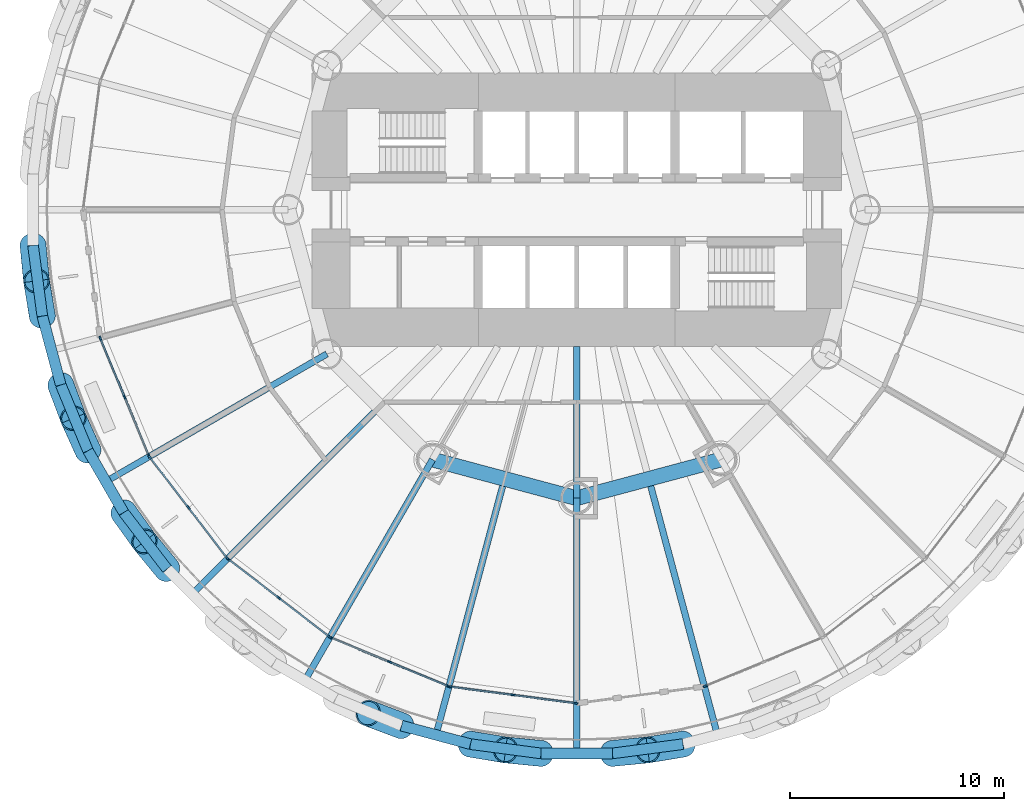
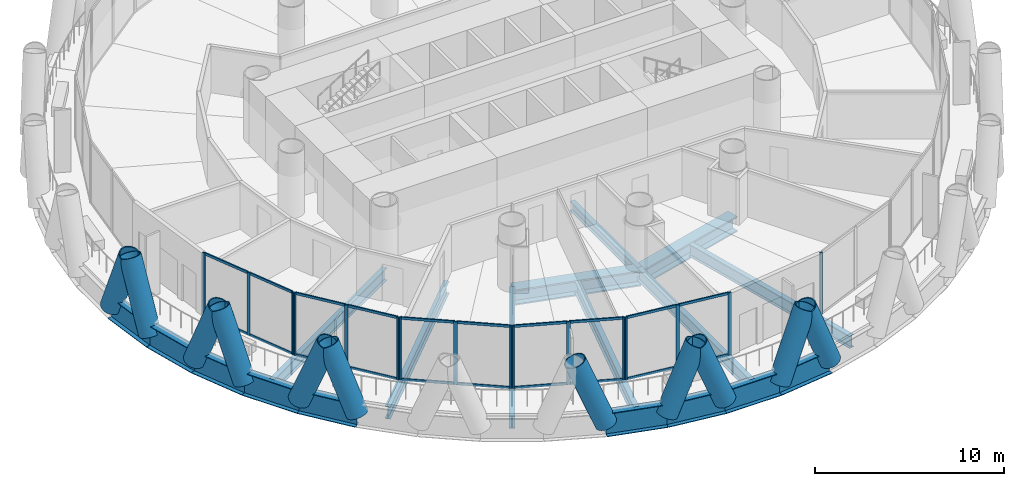
# One storey, part 2 of 16: 47 members, 18 beams, 6 elements without a shape of their own.
"""IFC4 building model written with IfcOpenShell, lengths in metres."""

import ifcopenshell
import ifcopenshell.guid

model = None  # the IFC model being written
_history = None  # IfcOwnerHistory: only IFC2X3 demands one
_inside = {}  # id of a spatial element -> (the spatial element, [elements in it])
_under = {}  # id of a project, library or spatial element -> (it, [spatial elements below it])
_declared = {}  # id of a project -> (the project, [libraries it declares])
_typed = {}  # id of a type object -> (the type object, [elements of that type])
_made_of = {}  # id of a material, layer set ... -> (it, [elements and type objects made of it])


def new_model(schema):
    """Start an empty IFC model of exactly this schema.

    Asked for "IFC4X3", IfcOpenShell would pick the latest addendum, in which some entities
    have other attributes; the version numbers below select the first issue.
    IFC2X3 requires an IfcOwnerHistory on every rooted entity: one is made here for all.
    """
    global model, _history
    if schema == "IFC4X3":
        model = ifcopenshell.file(schema_version=(4, 3, 0, 0))
    else:
        model = ifcopenshell.file(schema=schema)
    _inside.clear()
    _under.clear()
    _declared.clear()
    _typed.clear()
    _made_of.clear()
    _history = None
    if model.schema == "IFC2X3":
        org = make("IfcOrganization", Name="unknown")
        user = make(
            "IfcPersonAndOrganization",
            ThePerson=make("IfcPerson", FamilyName="unknown"),
            TheOrganization=org,
        )
        app = make(
            "IfcApplication",
            ApplicationDeveloper=org,
            Version="unknown",
            ApplicationFullName="unknown",
            ApplicationIdentifier="unknown",
        )
        _history = make(
            "IfcOwnerHistory",
            OwningUser=user,
            OwningApplication=app,
            ChangeAction="ADDED",
            CreationDate=0,
        )
    return model


def make(cls, **values):
    """One entity of the class cls with the attributes given. An attribute that is None is left unset."""
    return model.create_entity(
        cls, **{name: value for name, value in values.items() if value is not None}
    )


def rooted(cls, **values):
    """An entity with a GlobalId (a new one), such as an element, a storey or a relation."""
    return make(cls, GlobalId=ifcopenshell.guid.new(), OwnerHistory=_history, **values)


def si_unit(unit_type, name, prefix=None):
    """IfcSIUnit, for example si_unit("LENGTHUNIT", "METRE", prefix="MILLI")."""
    return make("IfcSIUnit", UnitType=unit_type, Prefix=prefix, Name=name)


def assignment(units):
    """IfcUnitAssignment: the units of a project."""
    return None if units is None else make("IfcUnitAssignment", Units=units)


def point(xyz):
    """IfcCartesianPoint."""
    return None if xyz is None else make("IfcCartesianPoint", Coordinates=xyz)


def direction(xyz):
    """IfcDirection."""
    return None if xyz is None else make("IfcDirection", DirectionRatios=xyz)


def frame(location, z_axis=None, x_axis=None):
    """IfcAxis2Placement3D, a coordinate frame: its origin and axes. An axis left out is left unset."""
    return make(
        "IfcAxis2Placement3D",
        Location=point(location),
        Axis=direction(z_axis),
        RefDirection=direction(x_axis),
    )


def frame_2d(location, x_axis=None):
    """IfcAxis2Placement2D, a coordinate frame in the plane: its origin and x axis."""
    return make(
        "IfcAxis2Placement2D", Location=point(location), RefDirection=direction(x_axis)
    )


def origin():
    """The frame at (0, 0, 0) with its axes left unset."""
    return frame((0.0, 0.0, 0.0))


def origin_2d():
    """The frame at (0, 0) in the plane with its x axis left unset."""
    return frame_2d((0.0, 0.0))


def place(relative_to, where):
    """IfcLocalPlacement: puts the frame where relative to a parent placement (None: the world)."""
    return make(
        "IfcLocalPlacement", PlacementRelTo=relative_to, RelativePlacement=where
    )


def context(
    kind, dimensions, precision=None, world=None, true_north=None, identifier=None
):
    """IfcGeometricRepresentationContext, for example the 3D "Model" context."""
    return make(
        "IfcGeometricRepresentationContext",
        ContextIdentifier=identifier,
        ContextType=kind,
        CoordinateSpaceDimension=dimensions,
        Precision=precision,
        WorldCoordinateSystem=world,
        TrueNorth=true_north,
    )


def subcontext(parent, identifier, kind, view, scale=None):
    """IfcGeometricRepresentationSubContext, for example "Body" below "Model"."""
    return make(
        "IfcGeometricRepresentationSubContext",
        ContextIdentifier=identifier,
        ContextType=kind,
        ParentContext=parent,
        TargetScale=scale,
        TargetView=view,
    )


def project(units=None, contexts=None):
    """IfcProject with its units and contexts."""
    return rooted(
        "IfcProject",
        Name="project",
        RepresentationContexts=contexts,
        UnitsInContext=assignment(units),
    )


def spatial(cls, under=None, at=None, **own):
    """A site, building, storey or space (cls), placed at a placement, below another one or the project."""
    s = rooted(cls, ObjectPlacement=at, **own)
    if under is not None:
        _under.setdefault(under.id(), (under, []))[1].append(s)
    return s


def profile(cls, at=None, kind="AREA", **sizes):
    """A parametric profile (cls). Its sizes go by their IFC names, for example OverallWidth=200.0."""
    return make(cls, ProfileType=kind, Position=at, **sizes)


def rectangle(**sizes):
    """IfcRectangleProfileDef."""
    return profile("IfcRectangleProfileDef", **sizes)


def hollow_circle(**sizes):
    """IfcCircleHollowProfileDef."""
    return profile("IfcCircleHollowProfileDef", **sizes)


def i_section(**sizes):
    """IfcIShapeProfileDef."""
    return profile("IfcIShapeProfileDef", **sizes)


def extrude(swept, where, along, depth):
    """IfcExtrudedAreaSolid: the profile swept, set in the frame where, extruded along a direction by depth."""
    return make(
        "IfcExtrudedAreaSolid",
        SweptArea=swept,
        Position=where,
        ExtrudedDirection=direction(along),
        Depth=depth,
    )


def shape(context_of_items, identifier, shape_type, items):
    """IfcShapeRepresentation: the items that make up one representation, for example the "Body"."""
    return make(
        "IfcShapeRepresentation",
        ContextOfItems=context_of_items,
        RepresentationIdentifier=identifier,
        RepresentationType=shape_type,
        Items=items,
    )


def material(Name=None, Category=None):
    """IfcMaterial."""
    return make("IfcMaterial", Name=Name, Category=Category)


def material_profile(
    of_material, cross_section, Name=None, Category=None, Priority=None
):
    """IfcMaterialProfile: a cross section and its material."""
    return make(
        "IfcMaterialProfile",
        Name=Name,
        Material=of_material,
        Profile=cross_section,
        Priority=Priority,
        Category=Category,
    )


def profile_set(profiles, Name=None, composite=None):
    """IfcMaterialProfileSet."""
    return make(
        "IfcMaterialProfileSet",
        Name=Name,
        MaterialProfiles=profiles,
        CompositeProfile=composite,
    )


def made_of(thing, what):
    """Note that an element or type object is made of a material, layer set ...; save() writes the relation."""
    if what is not None:
        _made_of.setdefault(what.id(), (what, []))[1].append(thing)
    return thing


def type_object(cls, material=None, **own):
    """A type object (cls), such as IfcWallType, which elements share."""
    return made_of(rooted(cls, **own), material)


def element(
    cls,
    number,
    at=None,
    inside=None,
    cuts=None,
    type_object=None,
    material=None,
    context=None,
    identifier="Body",
    shape_type=None,
    held_by="IfcProductDefinitionShape",
    body=None,
    shapes=None,
    **own,
):
    """One element of the class cls, such as IfcWall. Its Tag is "e" and its number.

    at: its placement. inside: the storey or other place that contains it. cuts: it is an
    opening in that element (IfcRelVoidsElement). A single representation is given by context,
    identifier, shape_type and body (its items); several are given by shapes. held_by: the class
    of the entity that holds the representations. save() writes the other relations.
    """
    e = rooted(cls, Tag="e%d" % number, ObjectPlacement=at, **own)
    if body is not None:
        shapes = [shape(context, identifier, shape_type, body)]
    if shapes is not None:
        e.Representation = make(held_by, Representations=shapes)
    if inside is not None:
        _inside.setdefault(inside.id(), (inside, []))[1].append(e)
    if cuts is not None:
        rooted(
            "IfcRelVoidsElement", RelatingBuildingElement=cuts, RelatedOpeningElement=e
        )
    if type_object is not None:
        _typed.setdefault(type_object.id(), (type_object, []))[1].append(e)
    return made_of(e, material)


def aggregate(whole, parts):
    """IfcRelAggregates: a whole, such as a stair, and the parts it consists of."""
    return rooted("IfcRelAggregates", RelatingObject=whole, RelatedObjects=parts)


def save(model, path):
    """Write the relations noted so far, then the file.

    IfcRelAggregates (storeys below a building ...), IfcRelContainedInSpatialStructure (elements
    in a storey), IfcRelDefinesByType, IfcRelAssociatesMaterial and IfcRelDeclares: one each for
    every whole, place, type object, material and project.
    """
    for whole, parts in _under.values():
        aggregate(whole, parts)
    for where, things in _inside.values():
        rooted(
            "IfcRelContainedInSpatialStructure",
            RelatedElements=things,
            RelatingStructure=where,
        )
    for kind, things in _typed.values():
        rooted("IfcRelDefinesByType", RelatedObjects=things, RelatingType=kind)
    for what, things in _made_of.values():
        rooted("IfcRelAssociatesMaterial", RelatedObjects=things, RelatingMaterial=what)
    for by, libraries in _declared.values():
        rooted("IfcRelDeclares", RelatingContext=by, RelatedDefinitions=libraries)
    model.write(path)


model = new_model("IFC4")

# Units and contexts
model_context = context("Model", 3, precision=1e-05, world=origin(), true_north=direction((0.0, 1.0)))
body_context = subcontext(model_context, "Body", "Model", "MODEL_VIEW")
ifc_project = project(units=[si_unit("LENGTHUNIT", "METRE"), si_unit("AREAUNIT", "SQUARE_METRE"), si_unit("VOLUMEUNIT", "CUBIC_METRE"), si_unit("PLANEANGLEUNIT", "RADIAN"), si_unit("MASSUNIT", "GRAM", prefix="KILO")], contexts=[model_context])

# Site, building, storey
site_placement = place(None, origin())
site = spatial("IfcSite", under=ifc_project, at=site_placement, CompositionType="ELEMENT")
building_placement = place(site_placement, origin())
building = spatial("IfcBuilding", under=site, at=building_placement, Name="Qaws Media Tower", CompositionType="ELEMENT")
storey_placement = place(building_placement, frame((0.0, 0.0, 80.60009765625)))
storey = spatial("IfcBuildingStorey", under=building, at=storey_placement, Name="L17", CompositionType="ELEMENT", Elevation=80.60009765625)

# Curtain wall, members
ifc_material_1 = material(Name="Aluminium and clear glass", Category="aluminium")
curtain_wall_type = type_object("IfcCurtainWallType", Name="Unitised curtain wall CW-A", PredefinedType="NOTDEFINED", material=ifc_material_1)
curtain_wall_1_placement = place(storey_placement, origin())
curtain_wall_1 = element("IfcCurtainWall", 1, at=curtain_wall_1_placement, inside=storey, type_object=curtain_wall_type, Name="CWA curtain wall L17-14", PredefinedType="NOTDEFINED")
ifc_material_2 = material(Name="Aluminium mullion", Category="aluminium")
ifc_material_profile_1 = material_profile(ifc_material_2, rectangle(XDim=0.080078125, YDim=0.199951171875, at=origin_2d()), Name="80x200")
ifc_profile_set_1 = profile_set([ifc_material_profile_1], Name="Aluminium mullion")
member_type_1 = type_object("IfcMemberType", Name="Curtain wall mullion 80x200", PredefinedType="MULLION", material=ifc_profile_set_1)
member_1_placement = place(storey_placement, frame((37.702392578125, 43.984375, 0.0), z_axis=(0.0, 0.0, 1.0), x_axis=(0.923879517022, 0.382683469758, 0.0)))
member_1 = element("IfcMember", 2, at=member_1_placement, type_object=member_type_1, Name="CWA mullion 1", PredefinedType="MULLION", context=body_context, shape_type="SweptSolid", body=[
    extrude(rectangle(XDim=0.080078125, YDim=0.199951171875, at=origin_2d()), origin(), (0.0, 0.0, 1.0), 4.039794921875),
])
member_2_placement = place(storey_placement, frame((38.841064453125, 41.235595703125, 0.0), z_axis=(0.0, 0.0, 1.0), x_axis=(0.923879517022, 0.382683469758, 0.0)))
member_2 = element("IfcMember", 3, at=member_2_placement, type_object=member_type_1, Name="CWA mullion 2", PredefinedType="MULLION", context=body_context, shape_type="SweptSolid", body=[
    extrude(rectangle(XDim=0.080078125, YDim=0.199951171875, at=origin_2d()), origin(), (0.0, 0.0, 1.0), 4.039794921875),
])
member_3_placement = place(storey_placement, frame((39.9794921875, 38.487060546875, 0.0), z_axis=(0.0, 0.0, 1.0), x_axis=(0.923879517022, 0.382683469758, 0.0)))
member_3 = element("IfcMember", 4, at=member_3_placement, type_object=member_type_1, Name="CWA mullion 3", PredefinedType="MULLION", context=body_context, shape_type="SweptSolid", body=[
    extrude(rectangle(XDim=0.080078125, YDim=0.199951171875, at=origin_2d()), origin(), (0.0, 0.0, 1.0), 4.039794921875),
])

curtain_wall_2_placement = place(storey_placement, origin())
curtain_wall_2 = element("IfcCurtainWall", 5, at=curtain_wall_2_placement, inside=storey, type_object=curtain_wall_type, Name="CWA curtain wall L17-15", PredefinedType="NOTDEFINED")
member_4_placement = place(storey_placement, frame((40.01904296875, 38.418212890625, 0.0), z_axis=(0.0, 0.0, 1.0), x_axis=(0.79335337666, 0.608761381612, 0.0)))
member_4 = element("IfcMember", 6, at=member_4_placement, type_object=member_type_1, Name="CWA mullion 1", PredefinedType="MULLION", context=body_context, shape_type="SweptSolid", body=[
    extrude(rectangle(XDim=0.080078125, YDim=0.199951171875, at=origin_2d()), origin(), (0.0, 0.0, 1.0), 4.039794921875),
])
member_5_placement = place(storey_placement, frame((41.830322265625, 36.057861328125, 0.0), z_axis=(0.0, 0.0, 1.0), x_axis=(0.79335337666, 0.608761381612, 0.0)))
member_5 = element("IfcMember", 7, at=member_5_placement, type_object=member_type_1, Name="CWA mullion 2", PredefinedType="MULLION", context=body_context, shape_type="SweptSolid", body=[
    extrude(rectangle(XDim=0.080078125, YDim=0.199951171875, at=origin_2d()), origin(), (0.0, 0.0, 1.0), 4.039794921875),
])
member_6_placement = place(storey_placement, frame((43.6416015625, 33.697509765625, 0.0), z_axis=(0.0, 0.0, 1.0), x_axis=(0.79335337666, 0.608761381612, 0.0)))
member_6 = element("IfcMember", 8, at=member_6_placement, type_object=member_type_1, Name="CWA mullion 3", PredefinedType="MULLION", context=body_context, shape_type="SweptSolid", body=[
    extrude(rectangle(XDim=0.080078125, YDim=0.199951171875, at=origin_2d()), origin(), (0.0, 0.0, 1.0), 4.039794921875),
])

curtain_wall_3_placement = place(storey_placement, origin())
curtain_wall_3 = element("IfcCurtainWall", 9, at=curtain_wall_3_placement, inside=storey, type_object=curtain_wall_type, Name="CWA curtain wall L17-16", PredefinedType="NOTDEFINED")
member_7_placement = place(storey_placement, frame((43.697509765625, 33.6416015625, 0.0), z_axis=(0.0, 0.0, 1.0), x_axis=(0.608761381612, 0.79335337666, 0.0)))
member_7 = element("IfcMember", 10, at=member_7_placement, type_object=member_type_1, Name="CWA mullion 1", PredefinedType="MULLION", context=body_context, shape_type="SweptSolid", body=[
    extrude(rectangle(XDim=0.080078125, YDim=0.199951171875, at=origin_2d()), origin(), (0.0, 0.0, 1.0), 4.039794921875),
])
member_8_placement = place(storey_placement, frame((46.057861328125, 31.830322265625, 0.0), z_axis=(0.0, 0.0, 1.0), x_axis=(0.608761381612, 0.79335337666, 0.0)))
member_8 = element("IfcMember", 11, at=member_8_placement, type_object=member_type_1, Name="CWA mullion 2", PredefinedType="MULLION", context=body_context, shape_type="SweptSolid", body=[
    extrude(rectangle(XDim=0.080078125, YDim=0.199951171875, at=origin_2d()), origin(), (0.0, 0.0, 1.0), 4.039794921875),
])
member_9_placement = place(storey_placement, frame((48.418212890625, 30.01904296875, 0.0), z_axis=(0.0, 0.0, 1.0), x_axis=(0.608761381612, 0.79335337666, 0.0)))
member_9 = element("IfcMember", 12, at=member_9_placement, type_object=member_type_1, Name="CWA mullion 3", PredefinedType="MULLION", context=body_context, shape_type="SweptSolid", body=[
    extrude(rectangle(XDim=0.080078125, YDim=0.199951171875, at=origin_2d()), origin(), (0.0, 0.0, 1.0), 4.039794921875),
])

curtain_wall_4_placement = place(storey_placement, origin())
curtain_wall_4 = element("IfcCurtainWall", 13, at=curtain_wall_4_placement, inside=storey, type_object=curtain_wall_type, Name="CWA curtain wall L17-17", PredefinedType="NOTDEFINED")
member_10_placement = place(storey_placement, frame((48.487060546875, 29.9794921875, 0.0), z_axis=(0.0, 0.0, 1.0), x_axis=(0.382683469758, 0.923879517022, 0.0)))
member_10 = element("IfcMember", 14, at=member_10_placement, type_object=member_type_1, Name="CWA mullion 1", PredefinedType="MULLION", context=body_context, shape_type="SweptSolid", body=[
    extrude(rectangle(XDim=0.080078125, YDim=0.199951171875, at=origin_2d()), origin(), (0.0, 0.0, 1.0), 4.039794921875),
])
member_11_placement = place(storey_placement, frame((51.235595703125, 28.841064453125, 0.0), z_axis=(0.0, 0.0, 1.0), x_axis=(0.382683469758, 0.923879517022, 0.0)))
member_11 = element("IfcMember", 15, at=member_11_placement, type_object=member_type_1, Name="CWA mullion 2", PredefinedType="MULLION", context=body_context, shape_type="SweptSolid", body=[
    extrude(rectangle(XDim=0.080078125, YDim=0.199951171875, at=origin_2d()), origin(), (0.0, 0.0, 1.0), 4.039794921875),
])
member_12_placement = place(storey_placement, frame((53.984375, 27.702392578125, 0.0), z_axis=(0.0, 0.0, 1.0), x_axis=(0.382683469758, 0.923879517022, 0.0)))
member_12 = element("IfcMember", 16, at=member_12_placement, type_object=member_type_1, Name="CWA mullion 3", PredefinedType="MULLION", context=body_context, shape_type="SweptSolid", body=[
    extrude(rectangle(XDim=0.080078125, YDim=0.199951171875, at=origin_2d()), origin(), (0.0, 0.0, 1.0), 4.039794921875),
])

curtain_wall_5_placement = place(storey_placement, origin())
curtain_wall_5 = element("IfcCurtainWall", 17, at=curtain_wall_5_placement, inside=storey, type_object=curtain_wall_type, Name="CWA curtain wall L17-18", PredefinedType="NOTDEFINED")
member_13_placement = place(storey_placement, frame((54.06103515625, 27.681884765625, 0.0), z_axis=(0.0, 0.0, 1.0), x_axis=(0.130526123696, 0.991444870395, 0.0)))
member_13 = element("IfcMember", 18, at=member_13_placement, type_object=member_type_1, Name="CWA mullion 1", PredefinedType="MULLION", context=body_context, shape_type="SweptSolid", body=[
    extrude(rectangle(XDim=0.080078125, YDim=0.199951171875, at=origin_2d()), origin(), (0.0, 0.0, 1.0), 4.039794921875),
])
member_14_placement = place(storey_placement, frame((57.0107421875, 27.29345703125, 0.0), z_axis=(0.0, 0.0, 1.0), x_axis=(0.130526123696, 0.991444870395, 0.0)))
member_14 = element("IfcMember", 19, at=member_14_placement, type_object=member_type_1, Name="CWA mullion 2", PredefinedType="MULLION", context=body_context, shape_type="SweptSolid", body=[
    extrude(rectangle(XDim=0.080078125, YDim=0.199951171875, at=origin_2d()), origin(), (0.0, 0.0, 1.0), 4.039794921875),
])
member_15_placement = place(storey_placement, frame((59.96044921875, 26.9052734375, 0.0), z_axis=(0.0, 0.0, 1.0), x_axis=(0.130526123696, 0.991444870395, 0.0)))
member_15 = element("IfcMember", 20, at=member_15_placement, type_object=member_type_1, Name="CWA mullion 3", PredefinedType="MULLION", context=body_context, shape_type="SweptSolid", body=[
    extrude(rectangle(XDim=0.080078125, YDim=0.199951171875, at=origin_2d()), origin(), (0.0, 0.0, 1.0), 4.039794921875),
])

# Curtain wall, member
curtain_wall_6_placement = place(storey_placement, origin())
curtain_wall_6 = element("IfcCurtainWall", 21, at=curtain_wall_6_placement, inside=storey, type_object=curtain_wall_type, Name="CWA curtain wall L17-20", PredefinedType="NOTDEFINED")
member_16_placement = place(storey_placement, frame((66.015625, 27.702392578125, 0.0), z_axis=(0.0, 0.0, 1.0), x_axis=(-0.382683469758, 0.923879517022, 0.0)))
member_16 = element("IfcMember", 22, at=member_16_placement, type_object=member_type_1, Name="CWA mullion 1", PredefinedType="MULLION", context=body_context, shape_type="SweptSolid", body=[
    extrude(rectangle(XDim=0.080078125, YDim=0.199951171875, at=origin_2d()), origin(), (0.0, 0.0, 1.0), 4.039794921875),
])
aggregate(curtain_wall_6, [member_16])

# Member
ifc_material_3 = material(Name="Aluminium transom", Category="aluminium")
ifc_material_profile_2 = material_profile(ifc_material_3, rectangle(XDim=0.080078125, YDim=0.159912109375, at=origin_2d()), Name="80x160")
ifc_profile_set_2 = profile_set([ifc_material_profile_2], Name="Aluminium transom")
member_type_2 = type_object("IfcMemberType", Name="Curtain wall transom 80x160", PredefinedType="USERDEFINED", material=ifc_profile_set_2)
member_17_placement = place(storey_placement, frame((37.7177734375, 43.947265625, 0.039794921875), z_axis=(0.382704337855, -0.923870872897, 0.0), x_axis=(0.923870872897, 0.382704337855, 0.0)))
member_17 = element("IfcMember", 23, at=member_17_placement, type_object=member_type_2, Name="CWA transom 1.1", ObjectType="TRANSOM", PredefinedType="USERDEFINED", context=body_context, shape_type="SweptSolid", body=[
    extrude(rectangle(XDim=0.080078125, YDim=0.159912109375, at=origin_2d()), origin(), (0.0, 0.0, 1.0), 2.89501953125),
])

member_18_placement = place(storey_placement, frame((37.7177734375, 43.947265625, 4.0), z_axis=(0.382704337855, -0.923870872897, 0.0), x_axis=(0.923870872897, 0.382704337855, 0.0)))
member_18 = element("IfcMember", 24, at=member_18_placement, type_object=member_type_2, Name="CWA transom 1.2", ObjectType="TRANSOM", PredefinedType="USERDEFINED", context=body_context, shape_type="SweptSolid", body=[
    extrude(rectangle(XDim=0.080078125, YDim=0.159912109375, at=origin_2d()), origin(), (0.0, 0.0, 1.0), 2.89501953125),
])

member_19_placement = place(storey_placement, frame((38.856201171875, 41.19873046875, 0.039794921875), z_axis=(0.382674522319, -0.923883223123, 0.0), x_axis=(0.923883223123, 0.382674522319, 0.0)))
member_19 = element("IfcMember", 25, at=member_19_placement, type_object=member_type_2, Name="CWA transom 2.1", ObjectType="TRANSOM", PredefinedType="USERDEFINED", context=body_context, shape_type="SweptSolid", body=[
    extrude(rectangle(XDim=0.080078125, YDim=0.159912109375, at=origin_2d()), origin(), (0.0, 0.0, 1.0), 2.895263671875),
])

member_20_placement = place(storey_placement, frame((38.856201171875, 41.19873046875, 4.0), z_axis=(0.382674522319, -0.923883223123, 0.0), x_axis=(0.923883223123, 0.382674522319, 0.0)))
member_20 = element("IfcMember", 26, at=member_20_placement, type_object=member_type_2, Name="CWA transom 2.2", ObjectType="TRANSOM", PredefinedType="USERDEFINED", context=body_context, shape_type="SweptSolid", body=[
    extrude(rectangle(XDim=0.080078125, YDim=0.159912109375, at=origin_2d()), origin(), (0.0, 0.0, 1.0), 2.895263671875),
])

aggregate(curtain_wall_1, [member_1, member_2, member_3, member_17, member_18, member_19, member_20])

member_21_placement = place(storey_placement, frame((40.04345703125, 38.386474609375, 0.039794921875), z_axis=(0.608760776012, -0.793353841353, 0.0), x_axis=(0.793353841353, 0.608760776012, 0.0)))
member_21 = element("IfcMember", 27, at=member_21_placement, type_object=member_type_2, Name="CWA transom 1.1", ObjectType="TRANSOM", PredefinedType="USERDEFINED", context=body_context, shape_type="SweptSolid", body=[
    extrude(rectangle(XDim=0.080078125, YDim=0.159912109375, at=origin_2d()), origin(), (0.0, 0.0, 1.0), 2.895263671875),
])

member_22_placement = place(storey_placement, frame((40.04345703125, 38.386474609375, 4.0), z_axis=(0.608760776012, -0.793353841353, 0.0), x_axis=(0.793353841353, 0.608760776012, 0.0)))
member_22 = element("IfcMember", 28, at=member_22_placement, type_object=member_type_2, Name="CWA transom 1.2", ObjectType="TRANSOM", PredefinedType="USERDEFINED", context=body_context, shape_type="SweptSolid", body=[
    extrude(rectangle(XDim=0.080078125, YDim=0.159912109375, at=origin_2d()), origin(), (0.0, 0.0, 1.0), 2.895263671875),
])

member_23_placement = place(storey_placement, frame((41.854736328125, 36.026123046875, 0.039794921875), z_axis=(0.608760776012, -0.793353841353, 0.0), x_axis=(0.793353841353, 0.608760776012, 0.0)))
member_23 = element("IfcMember", 29, at=member_23_placement, type_object=member_type_2, Name="CWA transom 2.1", ObjectType="TRANSOM", PredefinedType="USERDEFINED", context=body_context, shape_type="SweptSolid", body=[
    extrude(rectangle(XDim=0.080078125, YDim=0.159912109375, at=origin_2d()), origin(), (0.0, 0.0, 1.0), 2.895263671875),
])

member_24_placement = place(storey_placement, frame((41.854736328125, 36.026123046875, 4.0), z_axis=(0.608760776012, -0.793353841353, 0.0), x_axis=(0.793353841353, 0.608760776012, 0.0)))
member_24 = element("IfcMember", 30, at=member_24_placement, type_object=member_type_2, Name="CWA transom 2.2", ObjectType="TRANSOM", PredefinedType="USERDEFINED", context=body_context, shape_type="SweptSolid", body=[
    extrude(rectangle(XDim=0.080078125, YDim=0.159912109375, at=origin_2d()), origin(), (0.0, 0.0, 1.0), 2.895263671875),
])

aggregate(curtain_wall_2, [member_4, member_5, member_6, member_21, member_22, member_23, member_24])

member_25_placement = place(storey_placement, frame((43.729248046875, 33.6171875, 0.039794921875), z_axis=(0.793353841353, -0.608760776012, 0.0), x_axis=(0.608760776012, 0.793353841353, 0.0)))
member_25 = element("IfcMember", 31, at=member_25_placement, type_object=member_type_2, Name="CWA transom 1.1", ObjectType="TRANSOM", PredefinedType="USERDEFINED", context=body_context, shape_type="SweptSolid", body=[
    extrude(rectangle(XDim=0.080078125, YDim=0.159912109375, at=origin_2d()), origin(), (0.0, 0.0, 1.0), 2.895263671875),
])

member_26_placement = place(storey_placement, frame((43.729248046875, 33.6171875, 4.0), z_axis=(0.793353841353, -0.608760776012, 0.0), x_axis=(0.608760776012, 0.793353841353, 0.0)))
member_26 = element("IfcMember", 32, at=member_26_placement, type_object=member_type_2, Name="CWA transom 1.2", ObjectType="TRANSOM", PredefinedType="USERDEFINED", context=body_context, shape_type="SweptSolid", body=[
    extrude(rectangle(XDim=0.080078125, YDim=0.159912109375, at=origin_2d()), origin(), (0.0, 0.0, 1.0), 2.895263671875),
])

member_27_placement = place(storey_placement, frame((46.089599609375, 31.805908203125, 0.039794921875), z_axis=(0.793353841353, -0.608760776012, 0.0), x_axis=(0.608760776012, 0.793353841353, 0.0)))
member_27 = element("IfcMember", 33, at=member_27_placement, type_object=member_type_2, Name="CWA transom 2.1", ObjectType="TRANSOM", PredefinedType="USERDEFINED", context=body_context, shape_type="SweptSolid", body=[
    extrude(rectangle(XDim=0.080078125, YDim=0.159912109375, at=origin_2d()), origin(), (0.0, 0.0, 1.0), 2.895263671875),
])

member_28_placement = place(storey_placement, frame((46.089599609375, 31.805908203125, 4.0), z_axis=(0.793353841353, -0.608760776012, 0.0), x_axis=(0.608760776012, 0.793353841353, 0.0)))
member_28 = element("IfcMember", 34, at=member_28_placement, type_object=member_type_2, Name="CWA transom 2.2", ObjectType="TRANSOM", PredefinedType="USERDEFINED", context=body_context, shape_type="SweptSolid", body=[
    extrude(rectangle(XDim=0.080078125, YDim=0.159912109375, at=origin_2d()), origin(), (0.0, 0.0, 1.0), 2.895263671875),
])

aggregate(curtain_wall_3, [member_7, member_8, member_9, member_25, member_26, member_27, member_28])

member_29_placement = place(storey_placement, frame((48.52392578125, 29.964111328125, 0.039794921875), z_axis=(0.923883223123, -0.382674522319, 0.0), x_axis=(0.382674522319, 0.923883223123, 0.0)))
member_29 = element("IfcMember", 35, at=member_29_placement, type_object=member_type_2, Name="CWA transom 1.1", ObjectType="TRANSOM", PredefinedType="USERDEFINED", context=body_context, shape_type="SweptSolid", body=[
    extrude(rectangle(XDim=0.080078125, YDim=0.159912109375, at=origin_2d()), origin(), (0.0, 0.0, 1.0), 2.895263671875),
])

member_30_placement = place(storey_placement, frame((48.52392578125, 29.964111328125, 4.0), z_axis=(0.923883223123, -0.382674522319, 0.0), x_axis=(0.382674522319, 0.923883223123, 0.0)))
member_30 = element("IfcMember", 36, at=member_30_placement, type_object=member_type_2, Name="CWA transom 1.2", ObjectType="TRANSOM", PredefinedType="USERDEFINED", context=body_context, shape_type="SweptSolid", body=[
    extrude(rectangle(XDim=0.080078125, YDim=0.159912109375, at=origin_2d()), origin(), (0.0, 0.0, 1.0), 2.895263671875),
])

member_31_placement = place(storey_placement, frame((51.272705078125, 28.82568359375, 0.039794921875), z_axis=(0.923870872897, -0.382704337855, 0.0), x_axis=(0.382704337855, 0.923870872897, 0.0)))
member_31 = element("IfcMember", 37, at=member_31_placement, type_object=member_type_2, Name="CWA transom 2.1", ObjectType="TRANSOM", PredefinedType="USERDEFINED", context=body_context, shape_type="SweptSolid", body=[
    extrude(rectangle(XDim=0.080078125, YDim=0.159912109375, at=origin_2d()), origin(), (0.0, 0.0, 1.0), 2.89501953125),
])

member_32_placement = place(storey_placement, frame((51.272705078125, 28.82568359375, 4.0), z_axis=(0.923870872897, -0.382704337855, 0.0), x_axis=(0.382704337855, 0.923870872897, 0.0)))
member_32 = element("IfcMember", 38, at=member_32_placement, type_object=member_type_2, Name="CWA transom 2.2", ObjectType="TRANSOM", PredefinedType="USERDEFINED", context=body_context, shape_type="SweptSolid", body=[
    extrude(rectangle(XDim=0.080078125, YDim=0.159912109375, at=origin_2d()), origin(), (0.0, 0.0, 1.0), 2.89501953125),
])

aggregate(curtain_wall_4, [member_10, member_11, member_12, member_29, member_30, member_31, member_32])

member_33_placement = place(storey_placement, frame((54.1005859375, 27.6767578125, 0.039794921875), z_axis=(0.991443097924, -0.130539586254, 0.0), x_axis=(0.130539586254, 0.991443097924, 0.0)))
member_33 = element("IfcMember", 39, at=member_33_placement, type_object=member_type_2, Name="CWA transom 1.1", ObjectType="TRANSOM", PredefinedType="USERDEFINED", context=body_context, shape_type="SweptSolid", body=[
    extrude(rectangle(XDim=0.080078125, YDim=0.159912109375, at=origin_2d()), origin(), (0.0, 0.0, 1.0), 2.89501953125),
])

member_34_placement = place(storey_placement, frame((54.1005859375, 27.6767578125, 4.0), z_axis=(0.991443097924, -0.130539586254, 0.0), x_axis=(0.130539586254, 0.991443097924, 0.0)))
member_34 = element("IfcMember", 40, at=member_34_placement, type_object=member_type_2, Name="CWA transom 1.2", ObjectType="TRANSOM", PredefinedType="USERDEFINED", context=body_context, shape_type="SweptSolid", body=[
    extrude(rectangle(XDim=0.080078125, YDim=0.159912109375, at=origin_2d()), origin(), (0.0, 0.0, 1.0), 2.89501953125),
])

member_35_placement = place(storey_placement, frame((57.05029296875, 27.288330078125, 0.039794921875), z_axis=(0.991443097924, -0.130539586254, 0.0), x_axis=(0.130539586254, 0.991443097924, 0.0)))
member_35 = element("IfcMember", 41, at=member_35_placement, type_object=member_type_2, Name="CWA transom 2.1", ObjectType="TRANSOM", PredefinedType="USERDEFINED", context=body_context, shape_type="SweptSolid", body=[
    extrude(rectangle(XDim=0.080078125, YDim=0.159912109375, at=origin_2d()), origin(), (0.0, 0.0, 1.0), 2.89501953125),
])

member_36_placement = place(storey_placement, frame((57.05029296875, 27.288330078125, 4.0), z_axis=(0.991443097924, -0.130539586254, 0.0), x_axis=(0.130539586254, 0.991443097924, 0.0)))
member_36 = element("IfcMember", 42, at=member_36_placement, type_object=member_type_2, Name="CWA transom 2.2", ObjectType="TRANSOM", PredefinedType="USERDEFINED", context=body_context, shape_type="SweptSolid", body=[
    extrude(rectangle(XDim=0.080078125, YDim=0.159912109375, at=origin_2d()), origin(), (0.0, 0.0, 1.0), 2.89501953125),
])

aggregate(curtain_wall_5, [member_13, member_14, member_15, member_33, member_34, member_35, member_36])

# Members
ifc_material_4 = material(Name="Steel S460", Category="steel")
ifc_material_profile_3 = material_profile(ifc_material_4, hollow_circle(Radius=0.609619140625, WallThickness=0.06005859375, at=origin_2d()), Name="CHS 1219x60")
ifc_profile_set_3 = profile_set([ifc_material_profile_3], Name="Steel S460")
member_type_3 = type_object("IfcMemberType", Name="Diagrid member CHS 1219x60", PredefinedType="USERDEFINED", material=ifc_profile_set_3)
for number, where, z_axis, x_axis, name in (
    (43, (34.5546875, 48.332275390625, -0.91015625), (0.036194579277, -0.3674560123, 0.929336339253), (0.995183849295, 0.098026048078, 0.0), "DG1 diagrid L17 A13"),
    (44, (35.853271484375, 41.80322265625, -0.91015625), (0.130083644983, -0.345575198072, 0.929330957079), (0.935889542104, 0.352293577831, 0.0), "DG1 diagrid L17 A14"),
    (45, (34.989990234375, 45.025146484375, -0.91015625), (-0.060125850438, 0.364320516937, 0.929330642478), (-0.986653650306, -0.16283296453, 0.0), "DG1 diagrid L17 B14"),
    (46, (38.797607421875, 35.8330078125, -0.91015625), (0.215060189879, -0.300144289115, 0.92933445026), (0.812872542183, 0.582441610949, 0.0), "DG1 diagrid L17 A15"),
    (47, (37.129638671875, 38.7216796875, -0.91015625), (-0.152344270974, 0.336291874755, 0.92935407573), (-0.910891921003, -0.412645014816, 0.0), "DG1 diagrid L17 B15"),
    (48, (40.828125, 33.186767578125, -0.91015625), (-0.234240101524, 0.285399090487, 0.929343281025), (-0.772985056238, -0.634424229386, 0.0), "DG1 diagrid L17 B16"),
    (49, (55.025146484375, 24.989990234375, -0.91015625), (0.364320516937, -0.060125850438, 0.929330642478), (0.16283296453, 0.986653650306, 0.0), "DG1 diagrid L17 A18"),
    (50, (51.80322265625, 25.853271484375, -0.91015625), (-0.345575198072, 0.130083644983, 0.929330957079), (-0.352293577831, -0.935889542104, 0.0), "DG1 diagrid L17 B18"),
    (51, (61.667724609375, 24.5546875, -0.91015625), (0.3674560123, 0.036194579277, 0.929336339253), (-0.098026048078, 0.995183849295, 0.0), "DG1 diagrid L17 A19"),
    (52, (58.332275390625, 24.5546875, -0.91015625), (-0.3674560123, 0.036194579277, 0.929336339253), (-0.098026048078, -0.995183849295, 0.0), "DG1 diagrid L17 B19"),
    (53, (64.974853515625, 24.989990234375, -0.91015625), (-0.364320516937, -0.060125850438, 0.929330642478), (0.16283296453, -0.986653650306, 0.0), "DG1 diagrid L17 B20"),
):
    element("IfcMember", number, at=place(storey_placement, frame(where, z_axis=z_axis, x_axis=x_axis)), inside=storey, type_object=member_type_3, Name=name, ObjectType="DIAGRID", PredefinedType="USERDEFINED", context=body_context, shape_type="SweptSolid", body=[
        extrude(hollow_circle(Radius=0.609619140625, WallThickness=0.06005859375, at=origin_2d()), origin(), (0.0, 0.0, 1.0), 4.519287109375),
    ])

# Beams
ifc_material_5 = material(Name="Steel S460", Category="steel")
ifc_material_profile_4 = material_profile(ifc_material_5, i_section(OverallWidth=0.5, OverallDepth=1.5, WebThickness=0.02001953125, FlangeThickness=0.0400390625, at=origin_2d()), Name="PG 1500x500")
ifc_profile_set_4 = profile_set([ifc_material_profile_4], Name="Steel S460")
beam_type_1 = type_object("IfcBeamType", Name="Edge ring beam PG 1500x500", PredefinedType="BEAM", material=ifc_profile_set_4)
for number, where, z_axis, x_axis, name in (
    (54, (34.5546875, 48.332275390625, -0.91015625), (0.130499951778, -0.99144831564, 0.0), (0.99144831564, 0.130499951778, 0.0), "RB4 edge ring beam L17-25"),
    (55, (34.989990234375, 45.025146484375, -0.91015625), (0.258810475208, -0.965928122545, 0.0), (0.965928122545, 0.258810475208, 0.0), "RB4 edge ring beam L17-26"),
):
    element("IfcBeam", number, at=place(storey_placement, frame(where, z_axis=z_axis, x_axis=x_axis)), inside=storey, type_object=beam_type_1, Name=name, PredefinedType="BEAM", context=body_context, shape_type="SweptSolid", body=[
        extrude(i_section(OverallWidth=0.5, OverallDepth=1.5, WebThickness=0.02001953125, FlangeThickness=0.0400390625, at=origin_2d()), origin(), (0.0, 0.0, 1.0), 3.335693359375),
    ])
beam_1_placement = place(storey_placement, frame((35.853271484375, 41.80322265625, -0.91015625), z_axis=(0.382670712989, -0.923884800947, 0.0), x_axis=(0.923884800947, 0.382670712989, 0.0)))
element("IfcBeam", 56, at=beam_1_placement, inside=storey, type_object=beam_type_1, Name="RB4 edge ring beam L17-27", PredefinedType="BEAM", context=body_context, shape_type="SweptSolid", body=[
    extrude(i_section(OverallWidth=0.5, OverallDepth=1.5, WebThickness=0.02001953125, FlangeThickness=0.0400390625, at=origin_2d()), origin(), (0.0, 0.0, 1.0), 3.33544921875),
])
beam_2_placement = place(storey_placement, frame((37.129638671875, 38.7216796875, -0.91015625), z_axis=(0.500043453909, -0.866000314205, 0.0), x_axis=(0.866000314205, 0.500043453909, 0.0)))
element("IfcBeam", 57, at=beam_2_placement, inside=storey, type_object=beam_type_1, Name="RB4 edge ring beam L17-28", PredefinedType="BEAM", context=body_context, shape_type="SweptSolid", body=[
    extrude(i_section(OverallWidth=0.5, OverallDepth=1.5, WebThickness=0.02001953125, FlangeThickness=0.0400390625, at=origin_2d()), origin(), (0.0, 0.0, 1.0), 3.335693359375),
])
beam_3_placement = place(storey_placement, frame((38.797607421875, 35.8330078125, -0.91015625), z_axis=(0.608758792794, -0.793355363123, 0.0), x_axis=(0.793355363123, 0.608758792794, 0.0)))
element("IfcBeam", 58, at=beam_3_placement, inside=storey, type_object=beam_type_1, Name="RB4 edge ring beam L17-29", PredefinedType="BEAM", context=body_context, shape_type="SweptSolid", body=[
    extrude(i_section(OverallWidth=0.5, OverallDepth=1.5, WebThickness=0.02001953125, FlangeThickness=0.0400390625, at=origin_2d()), origin(), (0.0, 0.0, 1.0), 3.33544921875),
])
for number, where, z_axis, x_axis, name in (
    (59, (51.80322265625, 25.853271484375, -0.91015625), (0.965928122545, -0.258810475208, 0.0), (0.258810475208, 0.965928122545, 0.0), "RB4 edge ring beam L17-34"),
    (60, (55.025146484375, 24.989990234375, -0.91015625), (0.99144831564, -0.130499951778, 0.0), (0.130499951778, 0.99144831564, 0.0), "RB4 edge ring beam L17-35"),
):
    element("IfcBeam", number, at=place(storey_placement, frame(where, z_axis=z_axis, x_axis=x_axis)), inside=storey, type_object=beam_type_1, Name=name, PredefinedType="BEAM", context=body_context, shape_type="SweptSolid", body=[
        extrude(i_section(OverallWidth=0.5, OverallDepth=1.5, WebThickness=0.02001953125, FlangeThickness=0.0400390625, at=origin_2d()), origin(), (0.0, 0.0, 1.0), 3.335693359375),
    ])
beam_4_placement = place(storey_placement, frame((58.332275390625, 24.5546875, -0.91015625), z_axis=(1.0, 0.0, 0.0), x_axis=(0.0, 1.0, 0.0)))
element("IfcBeam", 61, at=beam_4_placement, inside=storey, type_object=beam_type_1, Name="RB4 edge ring beam L17-36", PredefinedType="BEAM", context=body_context, shape_type="SweptSolid", body=[
    extrude(i_section(OverallWidth=0.5, OverallDepth=1.5, WebThickness=0.02001953125, FlangeThickness=0.0400390625, at=origin_2d()), origin(), (0.0, 0.0, 1.0), 3.33544921875),
])
beam_5_placement = place(storey_placement, frame((61.667724609375, 24.5546875, -0.91015625), z_axis=(0.99144831564, 0.130499951778, 0.0), x_axis=(-0.130499951778, 0.99144831564, 0.0)))
element("IfcBeam", 62, at=beam_5_placement, inside=storey, type_object=beam_type_1, Name="RB4 edge ring beam L17-37", PredefinedType="BEAM", context=body_context, shape_type="SweptSolid", body=[
    extrude(i_section(OverallWidth=0.5, OverallDepth=1.5, WebThickness=0.02001953125, FlangeThickness=0.0400390625, at=origin_2d()), origin(), (0.0, 0.0, 1.0), 3.335693359375),
])
ifc_material_6 = material(Name="Steel S460", Category="steel")
ifc_material_profile_5 = material_profile(ifc_material_6, i_section(OverallWidth=0.699951171875, OverallDepth=1.0, WebThickness=0.034912109375, FlangeThickness=0.090087890625, at=origin_2d()), Name="PG 1000x700")
ifc_profile_set_5 = profile_set([ifc_material_profile_5], Name="Steel S460")
beam_type_2 = type_object("IfcBeamType", Name="Inner ring girder PG 1000x700", PredefinedType="BEAM", material=ifc_profile_set_5)
for number, where, z_axis, x_axis, name in (
    (63, (53.25, 38.30859375, -0.66015625), (0.965928090778, -0.258810593767, 0.0), (0.258810593767, 0.965928090778, 0.0), "B3 inner ring beam L17 I09-I10"),
    (64, (60.0, 36.5, -0.66015625), (0.965928090778, 0.258810593767, 0.0), (-0.258810593767, 0.965928090778, 0.0), "B3 inner ring beam L17 I10-I11"),
):
    element("IfcBeam", number, at=place(storey_placement, frame(where, z_axis=z_axis, x_axis=x_axis)), inside=storey, type_object=beam_type_2, Name=name, PredefinedType="BEAM", context=body_context, shape_type="SweptSolid", body=[
        extrude(i_section(OverallWidth=0.699951171875, OverallDepth=1.0, WebThickness=0.034912109375, FlangeThickness=0.090087890625, at=origin_2d()), origin(), (0.0, 0.0, 1.0), 6.988037109375),
    ])
ifc_material_7 = material(Name="Steel S355", Category="steel")
ifc_material_profile_6 = material_profile(ifc_material_7, i_section(OverallWidth=0.304931640625, OverallDepth=0.6201171875, WebThickness=0.02099609375, FlangeThickness=0.0400390625, FilletRadius=0.027099609375, at=origin_2d()), Name="HE 600 M")
ifc_profile_set_6 = profile_set([ifc_material_profile_6], Name="Steel S355")
beam_type_3 = type_object("IfcBeamType", Name="Radial beam HE 600 M, core side", PredefinedType="BEAM", material=ifc_profile_set_6)
beam_6_placement = place(storey_placement, frame((60.0, 43.60009765625, -0.47021484375), z_axis=(0.0, -1.0, 0.0), x_axis=(1.0, 0.0, 0.0)))
element("IfcBeam", 65, at=beam_6_placement, inside=storey, type_object=beam_type_3, Name="B2 radial beam L17 19", PredefinedType="BEAM", context=body_context, shape_type="SweptSolid", body=[
    extrude(i_section(OverallWidth=0.304931640625, OverallDepth=0.6201171875, WebThickness=0.02099609375, FlangeThickness=0.0400390625, FilletRadius=0.027099609375, at=origin_2d()), origin(), (0.0, 0.0, 1.0), 7.10009765625),
])
ifc_material_8 = material(Name="Steel S355", Category="steel")
ifc_material_profile_7 = material_profile(ifc_material_8, i_section(OverallWidth=0.300048828125, OverallDepth=0.800048828125, WebThickness=0.017578125, FlangeThickness=0.032958984375, FilletRadius=0.030029296875, at=origin_2d()), Name="HE 800 B")
ifc_profile_set_7 = profile_set([ifc_material_profile_7], Name="Steel S355")
beam_type_4 = type_object("IfcBeamType", Name="Radial beam HE 800 B", PredefinedType="BEAM", material=ifc_profile_set_7)
beam_7_placement = place(storey_placement, frame((48.30859375, 43.25, -0.56005859375), z_axis=(-0.866025960947, -0.499999034966, 0.0), x_axis=(0.499999034966, -0.866025960947, 0.0)))
element("IfcBeam", 66, at=beam_7_placement, inside=storey, type_object=beam_type_4, Name="B1 radial beam L17 15", PredefinedType="BEAM", context=body_context, shape_type="SweptSolid", body=[
    extrude(i_section(OverallWidth=0.300048828125, OverallDepth=0.800048828125, WebThickness=0.017578125, FlangeThickness=0.032958984375, FilletRadius=0.030029296875, at=origin_2d()), origin(), (0.0, 0.0, 1.0), 11.9453125),
])
beam_8_placement = place(storey_placement, frame((50.53173828125, 40.53173828125, -0.56005859375), z_axis=(-0.707106781187, -0.707106781187, 0.0), x_axis=(0.707106781187, -0.707106781187, 0.0)))
element("IfcBeam", 67, at=beam_8_placement, inside=storey, type_object=beam_type_4, Name="B1 radial beam L17 16", PredefinedType="BEAM", context=body_context, shape_type="SweptSolid", body=[
    extrude(i_section(OverallWidth=0.300048828125, OverallDepth=0.800048828125, WebThickness=0.017578125, FlangeThickness=0.032958984375, FilletRadius=0.030029296875, at=origin_2d()), origin(), (0.0, 0.0, 1.0), 12.055419921875),
])
beam_9_placement = place(storey_placement, frame((53.25, 38.30859375, -0.56005859375), z_axis=(-0.499999034966, -0.866025960947, 0.0), x_axis=(0.866025960947, -0.499999034966, 0.0)))
element("IfcBeam", 68, at=beam_9_placement, inside=storey, type_object=beam_type_4, Name="B1 radial beam L17 17", PredefinedType="BEAM", context=body_context, shape_type="SweptSolid", body=[
    extrude(i_section(OverallWidth=0.300048828125, OverallDepth=0.800048828125, WebThickness=0.017578125, FlangeThickness=0.032958984375, FilletRadius=0.030029296875, at=origin_2d()), origin(), (0.0, 0.0, 1.0), 11.9453125),
])
beam_10_placement = place(storey_placement, frame((56.534423828125, 37.066162109375, -0.56005859375), z_axis=(-0.25881706712, -0.965926356286, 0.0), x_axis=(0.965926356286, -0.25881706712, 0.0)))
element("IfcBeam", 69, at=beam_10_placement, inside=storey, type_object=beam_type_4, Name="B1 radial beam L17 18", PredefinedType="BEAM", context=body_context, shape_type="SweptSolid", body=[
    extrude(i_section(OverallWidth=0.300048828125, OverallDepth=0.800048828125, WebThickness=0.017578125, FlangeThickness=0.032958984375, FilletRadius=0.030029296875, at=origin_2d()), origin(), (0.0, 0.0, 1.0), 12.055419921875),
])
beam_11_placement = place(storey_placement, frame((60.0, 36.5, -0.56005859375), z_axis=(0.0, -1.0, 0.0), x_axis=(1.0, 0.0, 0.0)))
element("IfcBeam", 70, at=beam_11_placement, inside=storey, type_object=beam_type_4, Name="B1 radial beam L17 19", PredefinedType="BEAM", context=body_context, shape_type="SweptSolid", body=[
    extrude(i_section(OverallWidth=0.300048828125, OverallDepth=0.800048828125, WebThickness=0.017578125, FlangeThickness=0.032958984375, FilletRadius=0.030029296875, at=origin_2d()), origin(), (0.0, 0.0, 1.0), 11.9453125),
])
beam_12_placement = place(storey_placement, frame((63.465576171875, 37.066162109375, -0.56005859375), z_axis=(0.25881706712, -0.965926356286, 0.0), x_axis=(0.965926356286, 0.25881706712, 0.0)))
element("IfcBeam", 71, at=beam_12_placement, inside=storey, type_object=beam_type_4, Name="B1 radial beam L17 20", PredefinedType="BEAM", context=body_context, shape_type="SweptSolid", body=[
    extrude(i_section(OverallWidth=0.300048828125, OverallDepth=0.800048828125, WebThickness=0.017578125, FlangeThickness=0.032958984375, FilletRadius=0.030029296875, at=origin_2d()), origin(), (0.0, 0.0, 1.0), 12.055419921875),
])

save(model, "model.ifc")
